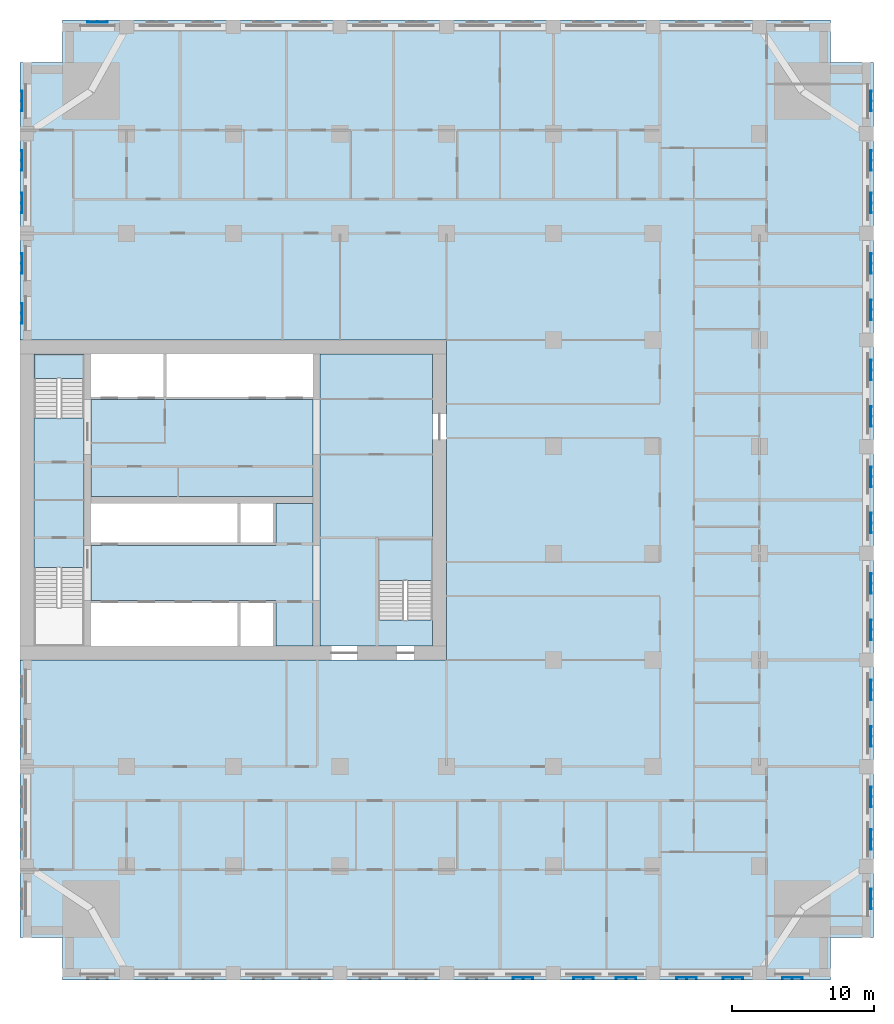
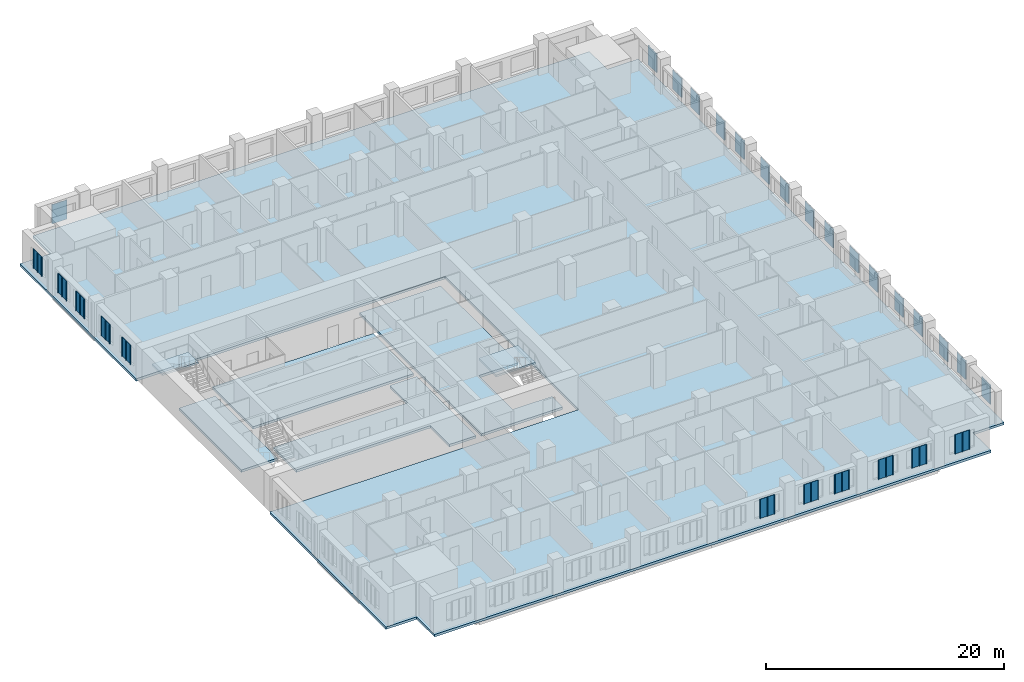
# One storey, part 2 of 14: 28 plates, 7 slabs, 2 elements without a shape of their own.
"""IFC4 building model written with IfcOpenShell, lengths in metres."""

from ifc_helpers import new_model, si_unit, direction, frame, origin, place, context, subcontext, project, spatial, polyline, outline, extrude, material, layer, layer_set, type_object, element, aggregate, save


model = new_model("IFC4")

# Units and contexts
model_context = context("Model", 3, precision=1e-05, world=origin(), true_north=direction((0.0, 1.0)))
body_context = subcontext(model_context, "Body", "Model", "MODEL_VIEW")
ifc_project = project(units=[si_unit("LENGTHUNIT", "METRE"), si_unit("AREAUNIT", "SQUARE_METRE"), si_unit("VOLUMEUNIT", "CUBIC_METRE"), si_unit("PLANEANGLEUNIT", "RADIAN"), si_unit("MASSUNIT", "GRAM", prefix="KILO")], contexts=[model_context])

# Site, building, storey
site_placement = place(None, origin())
site = spatial("IfcSite", under=ifc_project, at=site_placement, CompositionType="ELEMENT")
building_placement = place(site_placement, origin())
building = spatial("IfcBuilding", under=site, at=building_placement, Name="Tamorin Gate", CompositionType="ELEMENT")
storey_placement = place(building_placement, frame((0.0, 0.0, 66.39990234375)))
storey = spatial("IfcBuildingStorey", under=building, at=storey_placement, Name="L15", CompositionType="ELEMENT", Elevation=66.39990234375)

# Slabs
ifc_material_1 = material(Name="Concrete C40/50", Category="concrete")
ifc_layer_1 = layer(ifc_material_1, 0.25)
ifc_layer_set_1 = layer_set([ifc_layer_1], Name="Core floor slab 250 C40/50")
slab_type_1 = type_object("IfcSlabType", Name="Core floor slab 250 C40/50", PredefinedType="FLOOR", material=ifc_layer_set_1)
slab_1_placement = place(storey_placement, frame((0.0, 0.0, -0.25)))
element("IfcSlab", 1, at=slab_1_placement, inside=storey, type_object=slab_type_1, Name="Core floor L15", PredefinedType="FLOOR", context=body_context, shape_type="SweptSolid", body=[
    extrude(outline(polyline([(59.0, 62.800048828125), (59.0, 61.0), (51.10009765625, 61.0), (51.10009765625, 81.5), (59.0, 81.5), (59.0, 68.5), (55.199951171875, 68.5), (55.199951171875, 62.800048828125), (59.0, 62.800048828125)])), origin(), (0.0, 0.0, 1.0), 0.25),
])
slab_2_placement = place(storey_placement, frame((0.0, 0.0, -0.25)))
element("IfcSlab", 2, at=slab_2_placement, inside=storey, type_object=slab_type_1, Name="Core floor L15", PredefinedType="FLOOR", context=body_context, shape_type="SweptSolid", body=[
    extrude(outline(polyline([(50.60009765625, 61.0), (48.0, 61.0), (48.0, 64.199951171875), (35.0, 64.199951171875), (35.0, 68.050048828125), (48.0, 68.050048828125), (48.0, 71.0), (50.60009765625, 71.0), (50.60009765625, 61.0)])), origin(), (0.0, 0.0, 1.0), 0.25),
])
slab_3_placement = place(storey_placement, frame((0.0, 0.0, -0.25)))
element("IfcSlab", 3, at=slab_3_placement, inside=storey, type_object=slab_type_1, Name="Core floor L15", PredefinedType="FLOOR", context=body_context, shape_type="SweptSolid", body=[
    extrude(outline(polyline([(50.60009765625, 71.5), (35.0, 71.5), (35.0, 78.300048828125), (50.60009765625, 78.300048828125), (50.60009765625, 71.5)])), origin(), (0.0, 0.0, 1.0), 0.25),
])
slab_4_placement = place(storey_placement, frame((0.0, 0.0, -0.25)))
element("IfcSlab", 4, at=slab_4_placement, inside=storey, type_object=slab_type_1, Name="Core floor L15", PredefinedType="FLOOR", context=body_context, shape_type="SweptSolid", body=[
    extrude(outline(polyline([(31.0, 66.5), (31.0, 77.0), (34.5, 77.0), (34.5, 66.5), (31.0, 66.5)])), origin(), (0.0, 0.0, 1.0), 0.25),
])

# Stair, slab
stair_type = type_object("IfcStairType", Name="Exit stair", PredefinedType="HALF_TURN_STAIR", material=ifc_material_1)
stair_1_placement = place(storey_placement, origin())
stair_1 = element("IfcStair", 5, at=stair_1_placement, inside=storey, type_object=stair_type, Name="L15 stair ST2", PredefinedType="HALF_TURN_STAIR")
ifc_layer_2 = layer(ifc_material_1, 0.199951171875)
ifc_layer_set_2 = layer_set([ifc_layer_2], Name="Exit stair landing 200")
slab_type_2 = type_object("IfcSlabType", Name="Exit stair landing 200", PredefinedType="LANDING", material=ifc_layer_set_2)
slab_5_placement = place(storey_placement, frame((0.0, 0.0, 1.60009765625)))
slab_5 = element("IfcSlab", 6, at=slab_5_placement, type_object=slab_type_2, Name="ST2 landing 1", PredefinedType="LANDING", context=body_context, shape_type="SweptSolid", body=[
    extrude(outline(polyline([(34.5, 79.800048828125), (34.5, 81.5), (31.0, 81.5), (31.0, 79.800048828125), (34.5, 79.800048828125)])), origin(), (0.0, 0.0, 1.0), 0.199951171875),
])
aggregate(stair_1, [slab_5])

stair_2_placement = place(storey_placement, origin())
stair_2 = element("IfcStair", 7, at=stair_2_placement, inside=storey, type_object=stair_type, Name="L15 stair ST3", PredefinedType="HALF_TURN_STAIR")
slab_6_placement = place(storey_placement, frame((0.0, 0.0, 1.60009765625)))
slab_6 = element("IfcSlab", 8, at=slab_6_placement, type_object=slab_type_2, Name="ST3 landing 1", PredefinedType="LANDING", context=body_context, shape_type="SweptSolid", body=[
    extrude(outline(polyline([(59.0, 65.60009765625), (59.0, 68.5), (55.199951171875, 68.5), (55.199951171875, 65.60009765625), (59.0, 65.60009765625)])), origin(), (0.0, 0.0, 1.0), 0.199951171875),
])
aggregate(stair_2, [slab_6])

# Slab
ifc_layer_3 = layer(ifc_material_1, 0.25)
ifc_layer_set_3 = layer_set([ifc_layer_3], Name="Floor slab 250 C40/50")
slab_type_3 = type_object("IfcSlabType", Name="Floor slab 250 C40/50", PredefinedType="FLOOR", material=ifc_layer_set_3)
slab_7_placement = place(storey_placement, frame((0.0, 0.0, -0.25)))
element("IfcSlab", 9, at=slab_7_placement, inside=storey, type_object=slab_type_3, Name="Floor L15", PredefinedType="FLOOR", context=body_context, shape_type="SweptSolid", body=[
    extrude(outline(polyline([(30.0, 102.0), (33.0, 102.0), (33.0, 105.0), (87.0, 105.0), (87.0, 102.0), (90.0, 102.0), (90.0, 40.5), (87.0, 40.5), (87.0, 37.5), (33.0, 37.5), (33.0, 40.5), (30.0, 40.5), (30.0, 60.0), (60.0, 60.0), (60.0, 82.5), (30.0, 82.5), (30.0, 102.0)])), origin(), (0.0, 0.0, 1.0), 0.25),
])

# Plates
ifc_material_2 = material(Name="Perforated pale aluminium sheet", Category="aluminium")
ifc_layer_4 = layer(ifc_material_2, 0.0400390625)
ifc_layer_set_4 = layer_set([ifc_layer_4], Name="Pale metal solar screen 1440")
plate_type = type_object("IfcPlateType", Name="Pale metal solar screen 1440", PredefinedType="SHEET", material=ifc_layer_set_4)
plate_1_placement = place(storey_placement, frame((0.0, 0.0, 0.710205078125)))
element("IfcPlate", 10, at=plate_1_placement, inside=storey, type_object=plate_type, Name="Perforated solar screen", PredefinedType="SHEET", context=body_context, shape_type="SweptSolid", body=[
    extrude(outline(polyline([(64.655029296875, 37.659912109375), (64.655029296875, 37.699951171875), (64.715087890625, 37.699951171875), (65.344970703125, 37.699951171875), (65.405029296875, 37.699951171875), (66.034912109375, 37.699951171875), (66.094970703125, 37.699951171875), (66.094970703125, 37.659912109375), (66.094970703125, 37.60009765625), (66.034912109375, 37.60009765625), (66.034912109375, 37.659912109375), (65.405029296875, 37.659912109375), (65.405029296875, 37.60009765625), (65.344970703125, 37.60009765625), (65.344970703125, 37.659912109375), (64.715087890625, 37.659912109375), (64.715087890625, 37.60009765625), (64.655029296875, 37.60009765625), (64.655029296875, 37.659912109375)])), origin(), (0.0, 0.0, 1.0), 1.97998046875),
])
plate_2_placement = place(storey_placement, frame((0.0, 0.0, 0.710205078125)))
element("IfcPlate", 11, at=plate_2_placement, inside=storey, type_object=plate_type, Name="Perforated solar screen", PredefinedType="SHEET", context=body_context, shape_type="SweptSolid", body=[
    extrude(outline(polyline([(68.905029296875, 37.659912109375), (68.905029296875, 37.699951171875), (68.965087890625, 37.699951171875), (69.594970703125, 37.699951171875), (69.655029296875, 37.699951171875), (70.284912109375, 37.699951171875), (70.344970703125, 37.699951171875), (70.344970703125, 37.659912109375), (70.344970703125, 37.60009765625), (70.284912109375, 37.60009765625), (70.284912109375, 37.659912109375), (69.655029296875, 37.659912109375), (69.655029296875, 37.60009765625), (69.594970703125, 37.60009765625), (69.594970703125, 37.659912109375), (68.965087890625, 37.659912109375), (68.965087890625, 37.60009765625), (68.905029296875, 37.60009765625), (68.905029296875, 37.659912109375)])), origin(), (0.0, 0.0, 1.0), 1.97998046875),
])
plate_3_placement = place(storey_placement, frame((0.0, 0.0, 0.710205078125)))
element("IfcPlate", 12, at=plate_3_placement, inside=storey, type_object=plate_type, Name="Perforated solar screen", PredefinedType="SHEET", context=body_context, shape_type="SweptSolid", body=[
    extrude(outline(polyline([(71.905029296875, 37.659912109375), (71.905029296875, 37.699951171875), (71.965087890625, 37.699951171875), (72.594970703125, 37.699951171875), (72.655029296875, 37.699951171875), (73.284912109375, 37.699951171875), (73.344970703125, 37.699951171875), (73.344970703125, 37.659912109375), (73.344970703125, 37.60009765625), (73.284912109375, 37.60009765625), (73.284912109375, 37.659912109375), (72.655029296875, 37.659912109375), (72.655029296875, 37.60009765625), (72.594970703125, 37.60009765625), (72.594970703125, 37.659912109375), (71.965087890625, 37.659912109375), (71.965087890625, 37.60009765625), (71.905029296875, 37.60009765625), (71.905029296875, 37.659912109375)])), origin(), (0.0, 0.0, 1.0), 1.97998046875),
])
plate_4_placement = place(storey_placement, frame((0.0, 0.0, 0.710205078125)))
element("IfcPlate", 13, at=plate_4_placement, inside=storey, type_object=plate_type, Name="Perforated solar screen", PredefinedType="SHEET", context=body_context, shape_type="SweptSolid", body=[
    extrude(outline(polyline([(76.155029296875, 37.659912109375), (76.155029296875, 37.699951171875), (76.215087890625, 37.699951171875), (76.844970703125, 37.699951171875), (76.905029296875, 37.699951171875), (77.534912109375, 37.699951171875), (77.594970703125, 37.699951171875), (77.594970703125, 37.659912109375), (77.594970703125, 37.60009765625), (77.534912109375, 37.60009765625), (77.534912109375, 37.659912109375), (76.905029296875, 37.659912109375), (76.905029296875, 37.60009765625), (76.844970703125, 37.60009765625), (76.844970703125, 37.659912109375), (76.215087890625, 37.659912109375), (76.215087890625, 37.60009765625), (76.155029296875, 37.60009765625), (76.155029296875, 37.659912109375)])), origin(), (0.0, 0.0, 1.0), 1.97998046875),
])
plate_5_placement = place(storey_placement, frame((0.0, 0.0, 0.710205078125)))
element("IfcPlate", 14, at=plate_5_placement, inside=storey, type_object=plate_type, Name="Perforated solar screen", PredefinedType="SHEET", context=body_context, shape_type="SweptSolid", body=[
    extrude(outline(polyline([(79.405029296875, 37.659912109375), (79.405029296875, 37.699951171875), (79.465087890625, 37.699951171875), (80.094970703125, 37.699951171875), (80.155029296875, 37.699951171875), (80.784912109375, 37.699951171875), (80.844970703125, 37.699951171875), (80.844970703125, 37.659912109375), (80.844970703125, 37.60009765625), (80.784912109375, 37.60009765625), (80.784912109375, 37.659912109375), (80.155029296875, 37.659912109375), (80.155029296875, 37.60009765625), (80.094970703125, 37.60009765625), (80.094970703125, 37.659912109375), (79.465087890625, 37.659912109375), (79.465087890625, 37.60009765625), (79.405029296875, 37.60009765625), (79.405029296875, 37.659912109375)])), origin(), (0.0, 0.0, 1.0), 1.97998046875),
])
plate_6_placement = place(storey_placement, frame((0.0, 0.0, 0.710205078125)))
element("IfcPlate", 15, at=plate_6_placement, inside=storey, type_object=plate_type, Name="Perforated solar screen", PredefinedType="SHEET", context=body_context, shape_type="SweptSolid", body=[
    extrude(outline(polyline([(83.580078125, 37.659912109375), (83.580078125, 37.699951171875), (83.639892578125, 37.699951171875), (84.27001953125, 37.699951171875), (84.330078125, 37.699951171875), (84.9599609375, 37.699951171875), (85.02001953125, 37.699951171875), (85.02001953125, 37.659912109375), (85.02001953125, 37.60009765625), (84.9599609375, 37.60009765625), (84.9599609375, 37.659912109375), (84.330078125, 37.659912109375), (84.330078125, 37.60009765625), (84.27001953125, 37.60009765625), (84.27001953125, 37.659912109375), (83.639892578125, 37.659912109375), (83.639892578125, 37.60009765625), (83.580078125, 37.60009765625), (83.580078125, 37.659912109375)])), origin(), (0.0, 0.0, 1.0), 1.97998046875),
])
plate_7_placement = place(storey_placement, frame((0.0, 0.0, 0.710205078125)))
element("IfcPlate", 16, at=plate_7_placement, inside=storey, type_object=plate_type, Name="Perforated solar screen", PredefinedType="SHEET", context=body_context, shape_type="SweptSolid", body=[
    extrude(outline(polyline([(89.840087890625, 42.47998046875), (89.800048828125, 42.47998046875), (89.800048828125, 42.5400390625), (89.800048828125, 43.169921875), (89.800048828125, 43.22998046875), (89.800048828125, 43.860107421875), (89.800048828125, 43.919921875), (89.840087890625, 43.919921875), (89.89990234375, 43.919921875), (89.89990234375, 43.860107421875), (89.840087890625, 43.860107421875), (89.840087890625, 43.22998046875), (89.89990234375, 43.22998046875), (89.89990234375, 43.169921875), (89.840087890625, 43.169921875), (89.840087890625, 42.5400390625), (89.89990234375, 42.5400390625), (89.89990234375, 42.47998046875), (89.840087890625, 42.47998046875)])), origin(), (0.0, 0.0, 1.0), 1.97998046875),
])
plate_8_placement = place(storey_placement, frame((0.0, 0.0, 0.710205078125)))
element("IfcPlate", 17, at=plate_8_placement, inside=storey, type_object=plate_type, Name="Perforated solar screen", PredefinedType="SHEET", context=body_context, shape_type="SweptSolid", body=[
    extrude(outline(polyline([(89.840087890625, 46.655029296875), (89.800048828125, 46.655029296875), (89.800048828125, 46.715087890625), (89.800048828125, 47.344970703125), (89.800048828125, 47.405029296875), (89.800048828125, 48.034912109375), (89.800048828125, 48.094970703125), (89.800048828125, 48.094970703125), (89.840087890625, 48.094970703125), (89.840087890625, 48.094970703125), (89.89990234375, 48.094970703125), (89.89990234375, 48.034912109375), (89.840087890625, 48.034912109375), (89.840087890625, 47.405029296875), (89.89990234375, 47.405029296875), (89.89990234375, 47.344970703125), (89.840087890625, 47.344970703125), (89.840087890625, 46.715087890625), (89.89990234375, 46.715087890625), (89.89990234375, 46.655029296875), (89.840087890625, 46.655029296875)])), origin(), (0.0, 0.0, 1.0), 1.97998046875),
])
plate_9_placement = place(storey_placement, frame((0.0, 0.0, 0.710205078125)))
element("IfcPlate", 18, at=plate_9_placement, inside=storey, type_object=plate_type, Name="Perforated solar screen", PredefinedType="SHEET", context=body_context, shape_type="SweptSolid", body=[
    extrude(outline(polyline([(89.840087890625, 49.655029296875), (89.800048828125, 49.655029296875), (89.800048828125, 49.715087890625), (89.800048828125, 50.344970703125), (89.800048828125, 50.405029296875), (89.800048828125, 51.034912109375), (89.800048828125, 51.094970703125), (89.840087890625, 51.094970703125), (89.89990234375, 51.094970703125), (89.89990234375, 51.034912109375), (89.840087890625, 51.034912109375), (89.840087890625, 50.405029296875), (89.89990234375, 50.405029296875), (89.89990234375, 50.344970703125), (89.840087890625, 50.344970703125), (89.840087890625, 49.715087890625), (89.89990234375, 49.715087890625), (89.89990234375, 49.655029296875), (89.840087890625, 49.655029296875)])), origin(), (0.0, 0.0, 1.0), 1.97998046875),
])
plate_10_placement = place(storey_placement, frame((0.0, 0.0, 0.710205078125)))
element("IfcPlate", 19, at=plate_10_placement, inside=storey, type_object=plate_type, Name="Perforated solar screen", PredefinedType="SHEET", context=body_context, shape_type="SweptSolid", body=[
    extrude(outline(polyline([(89.840087890625, 53.905029296875), (89.800048828125, 53.905029296875), (89.800048828125, 53.965087890625), (89.800048828125, 54.594970703125), (89.800048828125, 54.655029296875), (89.800048828125, 55.284912109375), (89.800048828125, 55.344970703125), (89.840087890625, 55.344970703125), (89.89990234375, 55.344970703125), (89.89990234375, 55.284912109375), (89.840087890625, 55.284912109375), (89.840087890625, 54.655029296875), (89.89990234375, 54.655029296875), (89.89990234375, 54.594970703125), (89.840087890625, 54.594970703125), (89.840087890625, 53.965087890625), (89.89990234375, 53.965087890625), (89.89990234375, 53.905029296875), (89.840087890625, 53.905029296875)])), origin(), (0.0, 0.0, 1.0), 1.97998046875),
])
plate_11_placement = place(storey_placement, frame((0.0, 0.0, 0.710205078125)))
element("IfcPlate", 20, at=plate_11_placement, inside=storey, type_object=plate_type, Name="Perforated solar screen", PredefinedType="SHEET", context=body_context, shape_type="SweptSolid", body=[
    extrude(outline(polyline([(89.840087890625, 57.155029296875), (89.800048828125, 57.155029296875), (89.800048828125, 57.215087890625), (89.800048828125, 57.844970703125), (89.800048828125, 57.905029296875), (89.800048828125, 58.534912109375), (89.800048828125, 58.594970703125), (89.840087890625, 58.594970703125), (89.89990234375, 58.594970703125), (89.89990234375, 58.534912109375), (89.840087890625, 58.534912109375), (89.840087890625, 57.905029296875), (89.89990234375, 57.905029296875), (89.89990234375, 57.844970703125), (89.840087890625, 57.844970703125), (89.840087890625, 57.215087890625), (89.89990234375, 57.215087890625), (89.89990234375, 57.155029296875), (89.840087890625, 57.155029296875)])), origin(), (0.0, 0.0, 1.0), 1.97998046875),
])
plate_12_placement = place(storey_placement, frame((0.0, 0.0, 0.710205078125)))
element("IfcPlate", 21, at=plate_12_placement, inside=storey, type_object=plate_type, Name="Perforated solar screen", PredefinedType="SHEET", context=body_context, shape_type="SweptSolid", body=[
    extrude(outline(polyline([(89.840087890625, 61.405029296875), (89.800048828125, 61.405029296875), (89.800048828125, 61.465087890625), (89.800048828125, 62.094970703125), (89.800048828125, 62.155029296875), (89.800048828125, 62.784912109375), (89.800048828125, 62.844970703125), (89.840087890625, 62.844970703125), (89.89990234375, 62.844970703125), (89.89990234375, 62.784912109375), (89.840087890625, 62.784912109375), (89.840087890625, 62.155029296875), (89.89990234375, 62.155029296875), (89.89990234375, 62.094970703125), (89.840087890625, 62.094970703125), (89.840087890625, 61.465087890625), (89.89990234375, 61.465087890625), (89.89990234375, 61.405029296875), (89.840087890625, 61.405029296875)])), origin(), (0.0, 0.0, 1.0), 1.97998046875),
])
plate_13_placement = place(storey_placement, frame((0.0, 0.0, 0.710205078125)))
element("IfcPlate", 22, at=plate_13_placement, inside=storey, type_object=plate_type, Name="Perforated solar screen", PredefinedType="SHEET", context=body_context, shape_type="SweptSolid", body=[
    extrude(outline(polyline([(89.840087890625, 64.655029296875), (89.800048828125, 64.655029296875), (89.800048828125, 64.715087890625), (89.800048828125, 65.344970703125), (89.800048828125, 65.405029296875), (89.800048828125, 66.034912109375), (89.800048828125, 66.094970703125), (89.840087890625, 66.094970703125), (89.89990234375, 66.094970703125), (89.89990234375, 66.034912109375), (89.840087890625, 66.034912109375), (89.840087890625, 65.405029296875), (89.89990234375, 65.405029296875), (89.89990234375, 65.344970703125), (89.840087890625, 65.344970703125), (89.840087890625, 64.715087890625), (89.89990234375, 64.715087890625), (89.89990234375, 64.655029296875), (89.840087890625, 64.655029296875)])), origin(), (0.0, 0.0, 1.0), 1.97998046875),
])
plate_14_placement = place(storey_placement, frame((0.0, 0.0, 0.710205078125)))
element("IfcPlate", 23, at=plate_14_placement, inside=storey, type_object=plate_type, Name="Perforated solar screen", PredefinedType="SHEET", context=body_context, shape_type="SweptSolid", body=[
    extrude(outline(polyline([(89.840087890625, 68.905029296875), (89.800048828125, 68.905029296875), (89.800048828125, 68.965087890625), (89.800048828125, 69.594970703125), (89.800048828125, 69.655029296875), (89.800048828125, 70.284912109375), (89.800048828125, 70.344970703125), (89.840087890625, 70.344970703125), (89.89990234375, 70.344970703125), (89.89990234375, 70.284912109375), (89.840087890625, 70.284912109375), (89.840087890625, 69.655029296875), (89.89990234375, 69.655029296875), (89.89990234375, 69.594970703125), (89.840087890625, 69.594970703125), (89.840087890625, 68.965087890625), (89.89990234375, 68.965087890625), (89.89990234375, 68.905029296875), (89.840087890625, 68.905029296875)])), origin(), (0.0, 0.0, 1.0), 1.97998046875),
])
plate_15_placement = place(storey_placement, frame((0.0, 0.0, 0.710205078125)))
element("IfcPlate", 24, at=plate_15_placement, inside=storey, type_object=plate_type, Name="Perforated solar screen", PredefinedType="SHEET", context=body_context, shape_type="SweptSolid", body=[
    extrude(outline(polyline([(89.840087890625, 72.155029296875), (89.800048828125, 72.155029296875), (89.800048828125, 72.215087890625), (89.800048828125, 72.844970703125), (89.800048828125, 72.905029296875), (89.800048828125, 73.534912109375), (89.800048828125, 73.594970703125), (89.840087890625, 73.594970703125), (89.89990234375, 73.594970703125), (89.89990234375, 73.534912109375), (89.840087890625, 73.534912109375), (89.840087890625, 72.905029296875), (89.89990234375, 72.905029296875), (89.89990234375, 72.844970703125), (89.840087890625, 72.844970703125), (89.840087890625, 72.215087890625), (89.89990234375, 72.215087890625), (89.89990234375, 72.155029296875), (89.840087890625, 72.155029296875)])), origin(), (0.0, 0.0, 1.0), 1.97998046875),
])
plate_16_placement = place(storey_placement, frame((0.0, 0.0, 0.710205078125)))
element("IfcPlate", 25, at=plate_16_placement, inside=storey, type_object=plate_type, Name="Perforated solar screen", PredefinedType="SHEET", context=body_context, shape_type="SweptSolid", body=[
    extrude(outline(polyline([(89.840087890625, 76.405029296875), (89.800048828125, 76.405029296875), (89.800048828125, 76.465087890625), (89.800048828125, 77.094970703125), (89.800048828125, 77.155029296875), (89.800048828125, 77.784912109375), (89.800048828125, 77.844970703125), (89.840087890625, 77.844970703125), (89.89990234375, 77.844970703125), (89.89990234375, 77.784912109375), (89.840087890625, 77.784912109375), (89.840087890625, 77.155029296875), (89.89990234375, 77.155029296875), (89.89990234375, 77.094970703125), (89.840087890625, 77.094970703125), (89.840087890625, 76.465087890625), (89.89990234375, 76.465087890625), (89.89990234375, 76.405029296875), (89.840087890625, 76.405029296875)])), origin(), (0.0, 0.0, 1.0), 1.97998046875),
])
plate_17_placement = place(storey_placement, frame((0.0, 0.0, 0.710205078125)))
element("IfcPlate", 26, at=plate_17_placement, inside=storey, type_object=plate_type, Name="Perforated solar screen", PredefinedType="SHEET", context=body_context, shape_type="SweptSolid", body=[
    extrude(outline(polyline([(89.840087890625, 79.655029296875), (89.800048828125, 79.655029296875), (89.800048828125, 79.715087890625), (89.800048828125, 80.344970703125), (89.800048828125, 80.405029296875), (89.800048828125, 81.034912109375), (89.800048828125, 81.094970703125), (89.840087890625, 81.094970703125), (89.89990234375, 81.094970703125), (89.89990234375, 81.034912109375), (89.840087890625, 81.034912109375), (89.840087890625, 80.405029296875), (89.89990234375, 80.405029296875), (89.89990234375, 80.344970703125), (89.840087890625, 80.344970703125), (89.840087890625, 79.715087890625), (89.89990234375, 79.715087890625), (89.89990234375, 79.655029296875), (89.840087890625, 79.655029296875)])), origin(), (0.0, 0.0, 1.0), 1.97998046875),
])
plate_18_placement = place(storey_placement, frame((0.0, 0.0, 0.710205078125)))
element("IfcPlate", 27, at=plate_18_placement, inside=storey, type_object=plate_type, Name="Perforated solar screen", PredefinedType="SHEET", context=body_context, shape_type="SweptSolid", body=[
    extrude(outline(polyline([(89.840087890625, 83.905029296875), (89.800048828125, 83.905029296875), (89.800048828125, 83.965087890625), (89.800048828125, 84.594970703125), (89.800048828125, 84.655029296875), (89.800048828125, 85.284912109375), (89.800048828125, 85.344970703125), (89.840087890625, 85.344970703125), (89.89990234375, 85.344970703125), (89.89990234375, 85.284912109375), (89.840087890625, 85.284912109375), (89.840087890625, 84.655029296875), (89.89990234375, 84.655029296875), (89.89990234375, 84.594970703125), (89.840087890625, 84.594970703125), (89.840087890625, 83.965087890625), (89.89990234375, 83.965087890625), (89.89990234375, 83.905029296875), (89.840087890625, 83.905029296875)])), origin(), (0.0, 0.0, 1.0), 1.97998046875),
])
plate_19_placement = place(storey_placement, frame((0.0, 0.0, 0.710205078125)))
element("IfcPlate", 28, at=plate_19_placement, inside=storey, type_object=plate_type, Name="Perforated solar screen", PredefinedType="SHEET", context=body_context, shape_type="SweptSolid", body=[
    extrude(outline(polyline([(89.840087890625, 87.155029296875), (89.800048828125, 87.155029296875), (89.800048828125, 87.215087890625), (89.800048828125, 87.844970703125), (89.800048828125, 87.905029296875), (89.800048828125, 88.534912109375), (89.800048828125, 88.594970703125), (89.840087890625, 88.594970703125), (89.89990234375, 88.594970703125), (89.89990234375, 88.534912109375), (89.840087890625, 88.534912109375), (89.840087890625, 87.905029296875), (89.89990234375, 87.905029296875), (89.89990234375, 87.844970703125), (89.840087890625, 87.844970703125), (89.840087890625, 87.215087890625), (89.89990234375, 87.215087890625), (89.89990234375, 87.155029296875), (89.840087890625, 87.155029296875)])), origin(), (0.0, 0.0, 1.0), 1.97998046875),
])
plate_20_placement = place(storey_placement, frame((0.0, 0.0, 0.710205078125)))
element("IfcPlate", 29, at=plate_20_placement, inside=storey, type_object=plate_type, Name="Perforated solar screen", PredefinedType="SHEET", context=body_context, shape_type="SweptSolid", body=[
    extrude(outline(polyline([(89.840087890625, 91.405029296875), (89.800048828125, 91.405029296875), (89.800048828125, 91.465087890625), (89.800048828125, 92.094970703125), (89.800048828125, 92.155029296875), (89.800048828125, 92.784912109375), (89.800048828125, 92.844970703125), (89.840087890625, 92.844970703125), (89.89990234375, 92.844970703125), (89.89990234375, 92.784912109375), (89.840087890625, 92.784912109375), (89.840087890625, 92.155029296875), (89.89990234375, 92.155029296875), (89.89990234375, 92.094970703125), (89.840087890625, 92.094970703125), (89.840087890625, 91.465087890625), (89.89990234375, 91.465087890625), (89.89990234375, 91.405029296875), (89.840087890625, 91.405029296875)])), origin(), (0.0, 0.0, 1.0), 1.97998046875),
])
plate_21_placement = place(storey_placement, frame((0.0, 0.0, 0.710205078125)))
element("IfcPlate", 30, at=plate_21_placement, inside=storey, type_object=plate_type, Name="Perforated solar screen", PredefinedType="SHEET", context=body_context, shape_type="SweptSolid", body=[
    extrude(outline(polyline([(89.840087890625, 94.405029296875), (89.800048828125, 94.405029296875), (89.800048828125, 94.465087890625), (89.800048828125, 95.094970703125), (89.800048828125, 95.155029296875), (89.800048828125, 95.784912109375), (89.800048828125, 95.844970703125), (89.840087890625, 95.844970703125), (89.89990234375, 95.844970703125), (89.89990234375, 95.784912109375), (89.840087890625, 95.784912109375), (89.840087890625, 95.155029296875), (89.89990234375, 95.155029296875), (89.89990234375, 95.094970703125), (89.840087890625, 95.094970703125), (89.840087890625, 94.465087890625), (89.89990234375, 94.465087890625), (89.89990234375, 94.405029296875), (89.840087890625, 94.405029296875)])), origin(), (0.0, 0.0, 1.0), 1.97998046875),
])
plate_22_placement = place(storey_placement, frame((0.0, 0.0, 0.710205078125)))
element("IfcPlate", 31, at=plate_22_placement, inside=storey, type_object=plate_type, Name="Perforated solar screen", PredefinedType="SHEET", context=body_context, shape_type="SweptSolid", body=[
    extrude(outline(polyline([(89.840087890625, 98.580078125), (89.800048828125, 98.580078125), (89.800048828125, 98.639892578125), (89.800048828125, 99.27001953125), (89.800048828125, 99.330078125), (89.800048828125, 99.9599609375), (89.800048828125, 100.02001953125), (89.840087890625, 100.02001953125), (89.89990234375, 100.02001953125), (89.89990234375, 99.9599609375), (89.840087890625, 99.9599609375), (89.840087890625, 99.330078125), (89.89990234375, 99.330078125), (89.89990234375, 99.27001953125), (89.840087890625, 99.27001953125), (89.840087890625, 98.639892578125), (89.89990234375, 98.639892578125), (89.89990234375, 98.580078125), (89.840087890625, 98.580078125)])), origin(), (0.0, 0.0, 1.0), 1.97998046875),
])
plate_23_placement = place(storey_placement, frame((0.0, 0.0, 0.710205078125)))
element("IfcPlate", 32, at=plate_23_placement, inside=storey, type_object=plate_type, Name="Perforated solar screen", PredefinedType="SHEET", context=body_context, shape_type="SweptSolid", body=[
    extrude(outline(polyline([(36.169921875, 104.840087890625), (36.169921875, 104.800048828125), (36.110107421875, 104.800048828125), (35.47998046875, 104.800048828125), (35.419921875, 104.800048828125), (34.7900390625, 104.800048828125), (34.72998046875, 104.800048828125), (34.72998046875, 104.840087890625), (34.72998046875, 104.89990234375), (34.7900390625, 104.89990234375), (34.7900390625, 104.840087890625), (35.419921875, 104.840087890625), (35.419921875, 104.89990234375), (35.47998046875, 104.89990234375), (35.47998046875, 104.840087890625), (36.110107421875, 104.840087890625), (36.110107421875, 104.89990234375), (36.169921875, 104.89990234375), (36.169921875, 104.840087890625)])), origin(), (0.0, 0.0, 1.0), 1.97998046875),
])
plate_24_placement = place(storey_placement, frame((0.0, 0.0, 0.710205078125)))
element("IfcPlate", 33, at=plate_24_placement, inside=storey, type_object=plate_type, Name="Perforated solar screen", PredefinedType="SHEET", context=body_context, shape_type="SweptSolid", body=[
    extrude(outline(polyline([(30.159912109375, 100.02001953125), (30.199951171875, 100.02001953125), (30.199951171875, 99.9599609375), (30.199951171875, 99.330078125), (30.199951171875, 99.27001953125), (30.199951171875, 98.639892578125), (30.199951171875, 98.580078125), (30.159912109375, 98.580078125), (30.10009765625, 98.580078125), (30.10009765625, 98.639892578125), (30.159912109375, 98.639892578125), (30.159912109375, 99.27001953125), (30.10009765625, 99.27001953125), (30.10009765625, 99.330078125), (30.159912109375, 99.330078125), (30.159912109375, 99.9599609375), (30.10009765625, 99.9599609375), (30.10009765625, 100.02001953125), (30.159912109375, 100.02001953125)])), origin(), (0.0, 0.0, 1.0), 1.97998046875),
])
plate_25_placement = place(storey_placement, frame((0.0, 0.0, 0.710205078125)))
element("IfcPlate", 34, at=plate_25_placement, inside=storey, type_object=plate_type, Name="Perforated solar screen", PredefinedType="SHEET", context=body_context, shape_type="SweptSolid", body=[
    extrude(outline(polyline([(30.159912109375, 92.844970703125), (30.199951171875, 92.844970703125), (30.199951171875, 92.784912109375), (30.199951171875, 92.155029296875), (30.199951171875, 92.094970703125), (30.199951171875, 91.465087890625), (30.199951171875, 91.405029296875), (30.159912109375, 91.405029296875), (30.10009765625, 91.405029296875), (30.10009765625, 91.465087890625), (30.159912109375, 91.465087890625), (30.159912109375, 92.094970703125), (30.10009765625, 92.094970703125), (30.10009765625, 92.155029296875), (30.159912109375, 92.155029296875), (30.159912109375, 92.784912109375), (30.10009765625, 92.784912109375), (30.10009765625, 92.844970703125), (30.159912109375, 92.844970703125)])), origin(), (0.0, 0.0, 1.0), 1.97998046875),
])
plate_26_placement = place(storey_placement, frame((0.0, 0.0, 0.710205078125)))
element("IfcPlate", 35, at=plate_26_placement, inside=storey, type_object=plate_type, Name="Perforated solar screen", PredefinedType="SHEET", context=body_context, shape_type="SweptSolid", body=[
    extrude(outline(polyline([(30.159912109375, 95.844970703125), (30.199951171875, 95.844970703125), (30.199951171875, 95.784912109375), (30.199951171875, 95.155029296875), (30.199951171875, 95.094970703125), (30.199951171875, 94.465087890625), (30.199951171875, 94.405029296875), (30.199951171875, 94.405029296875), (30.159912109375, 94.405029296875), (30.159912109375, 94.405029296875), (30.10009765625, 94.405029296875), (30.10009765625, 94.465087890625), (30.159912109375, 94.465087890625), (30.159912109375, 95.094970703125), (30.10009765625, 95.094970703125), (30.10009765625, 95.155029296875), (30.159912109375, 95.155029296875), (30.159912109375, 95.784912109375), (30.10009765625, 95.784912109375), (30.10009765625, 95.844970703125), (30.159912109375, 95.844970703125)])), origin(), (0.0, 0.0, 1.0), 1.97998046875),
])
plate_27_placement = place(storey_placement, frame((0.0, 0.0, 0.710205078125)))
element("IfcPlate", 36, at=plate_27_placement, inside=storey, type_object=plate_type, Name="Perforated solar screen", PredefinedType="SHEET", context=body_context, shape_type="SweptSolid", body=[
    extrude(outline(polyline([(30.159912109375, 85.094970703125), (30.199951171875, 85.094970703125), (30.199951171875, 85.034912109375), (30.199951171875, 84.405029296875), (30.199951171875, 84.344970703125), (30.199951171875, 83.715087890625), (30.199951171875, 83.655029296875), (30.159912109375, 83.655029296875), (30.10009765625, 83.655029296875), (30.10009765625, 83.715087890625), (30.159912109375, 83.715087890625), (30.159912109375, 84.344970703125), (30.10009765625, 84.344970703125), (30.10009765625, 84.405029296875), (30.159912109375, 84.405029296875), (30.159912109375, 85.034912109375), (30.10009765625, 85.034912109375), (30.10009765625, 85.094970703125), (30.159912109375, 85.094970703125)])), origin(), (0.0, 0.0, 1.0), 1.97998046875),
])
plate_28_placement = place(storey_placement, frame((0.0, 0.0, 0.710205078125)))
element("IfcPlate", 37, at=plate_28_placement, inside=storey, type_object=plate_type, Name="Perforated solar screen", PredefinedType="SHEET", context=body_context, shape_type="SweptSolid", body=[
    extrude(outline(polyline([(30.159912109375, 88.594970703125), (30.199951171875, 88.594970703125), (30.199951171875, 88.534912109375), (30.199951171875, 87.905029296875), (30.199951171875, 87.844970703125), (30.199951171875, 87.215087890625), (30.199951171875, 87.155029296875), (30.159912109375, 87.155029296875), (30.10009765625, 87.155029296875), (30.10009765625, 87.215087890625), (30.159912109375, 87.215087890625), (30.159912109375, 87.844970703125), (30.10009765625, 87.844970703125), (30.10009765625, 87.905029296875), (30.159912109375, 87.905029296875), (30.159912109375, 88.534912109375), (30.10009765625, 88.534912109375), (30.10009765625, 88.594970703125), (30.159912109375, 88.594970703125)])), origin(), (0.0, 0.0, 1.0), 1.97998046875),
])

save(model, "model.ifc")
